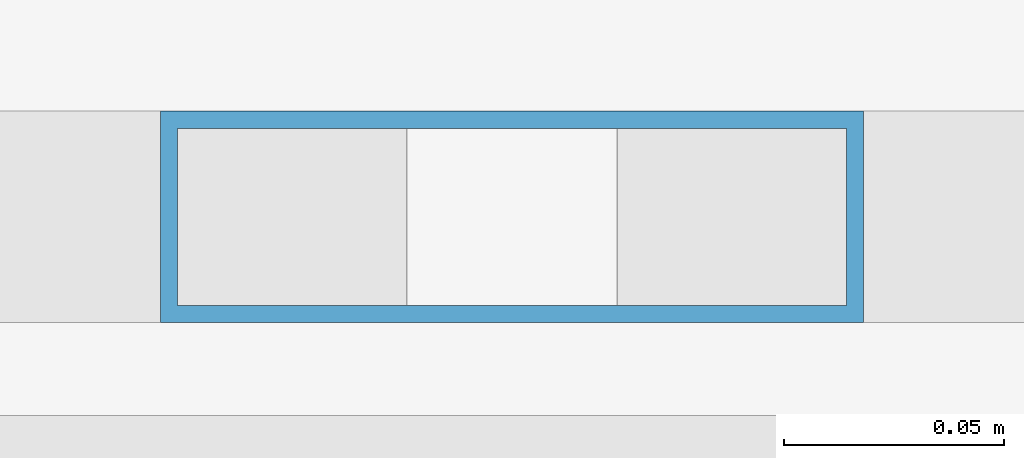
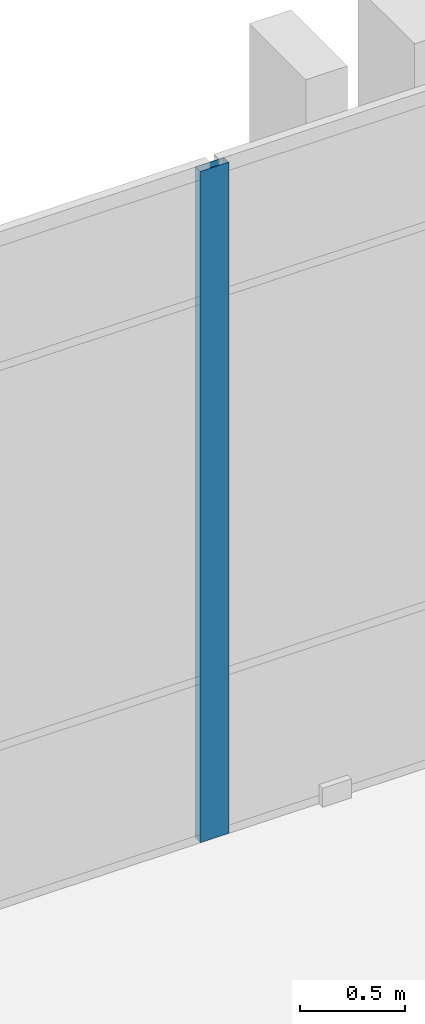
# One storey, part 110 of 193: 1 member, 1 element without a shape of its own.
"""IFC4 building model written with IfcOpenShell, lengths in metres."""

from ifc_helpers import new_model, si_unit, direction, frame, origin, origin_2d, place, context, subcontext, project, spatial, hollow_rectangle, extrude, material, layer, layer_set, material_profile, profile_set, type_object, element, aggregate, save


model = new_model("IFC4")

# Units and contexts
model_context = context("Model", 3, precision=1e-05, world=origin(), true_north=direction((0.0, 1.0)))
body_context = subcontext(model_context, "Body", "Model", "MODEL_VIEW")
ifc_project = project(units=[si_unit("LENGTHUNIT", "METRE"), si_unit("AREAUNIT", "SQUARE_METRE"), si_unit("VOLUMEUNIT", "CUBIC_METRE"), si_unit("PLANEANGLEUNIT", "RADIAN"), si_unit("MASSUNIT", "GRAM", prefix="KILO")], contexts=[model_context])

# Site, building, storey
site_placement = place(None, origin())
site = spatial("IfcSite", under=ifc_project, at=site_placement, CompositionType="ELEMENT")
building_placement = place(site_placement, origin())
building = spatial("IfcBuilding", under=site, at=building_placement, Name="Qalavern Law Courts", CompositionType="ELEMENT")
storey_placement = place(building_placement, frame((0.0, 0.0, 10.199951171875)))
storey = spatial("IfcBuildingStorey", under=building, at=storey_placement, Name="L02", CompositionType="ELEMENT", Elevation=10.199951171875)

# Curtain wall, member
ifc_material_1 = material(Name="Anodised aluminium and insulated glazing", Category="aluminium")
ifc_layer = layer(ifc_material_1, 0.172119140625)
ifc_layer_set = layer_set([ifc_layer], Name="Anodised aluminium and insulated glazing")
curtain_wall_type = type_object("IfcCurtainWallType", Name="ENV-CW-COURT", PredefinedType="USERDEFINED", material=ifc_layer_set)
curtain_wall_placement = place(storey_placement, origin())
curtain_wall = element("IfcCurtainWall", 1, at=curtain_wall_placement, inside=storey, type_object=curtain_wall_type, Name="V4 unitised curtain wall L02 north 1", ObjectType="UNITISED CURTAIN WALL", PredefinedType="USERDEFINED")
ifc_material_2 = material(Name="Anodised aluminium", Category="aluminium")
ifc_material_profile = material_profile(ifc_material_2, hollow_rectangle(XDim=0.048095703125, YDim=0.159912109375, WallThickness=0.00390625, at=origin_2d()), Name="ALU MULLION 48x160")
ifc_profile_set = profile_set([ifc_material_profile], Name="Anodised aluminium")
member_type = type_object("IfcMemberType", Name="ENV-CWM-48x160", PredefinedType="MULLION", material=ifc_profile_set)
member_placement = place(storey_placement, frame((98.344482421875, 85.64501953125, 0.0), z_axis=(0.0, 0.0, 1.0), x_axis=(0.0, -1.0, 0.0)))
member = element("IfcMember", 2, at=member_placement, type_object=member_type, Name="CW-03 mullion 6", PredefinedType="MULLION", context=body_context, shape_type="SweptSolid", body=[
    extrude(hollow_rectangle(XDim=0.048095703125, YDim=0.159912109375, WallThickness=0.00390625, at=origin_2d()), origin(), (0.0, 0.0, 1.0), 3.9150390625),
])
aggregate(curtain_wall, [member])

save(model, "model.ifc")
